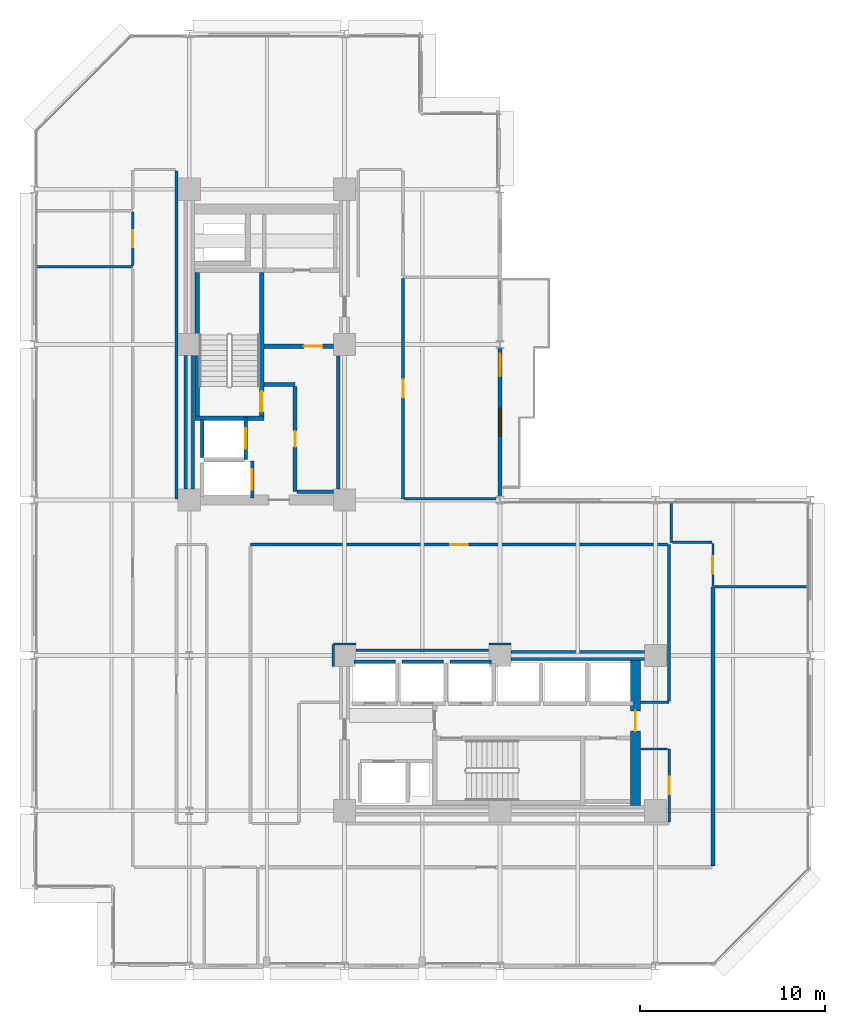
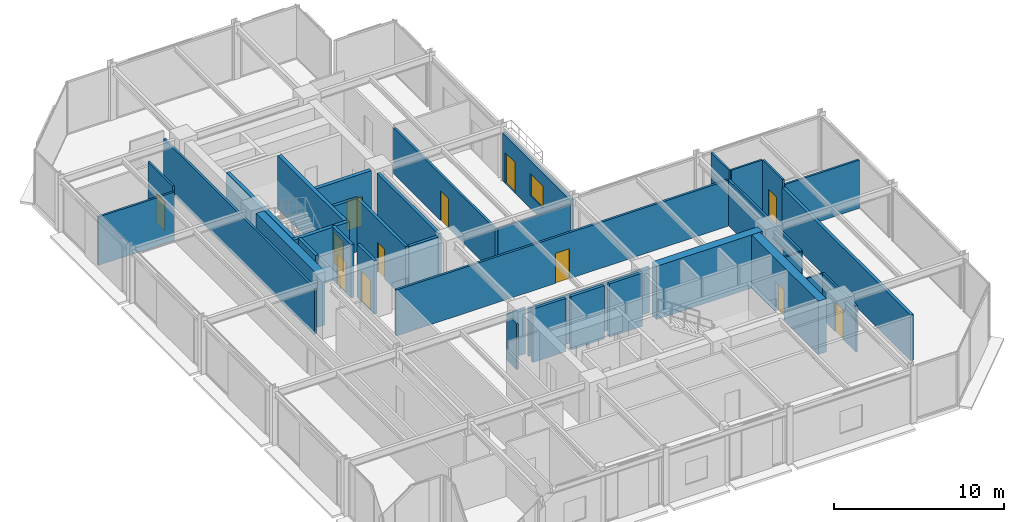
# One storey, part 25 of 30: 37 walls, 12 doors, 1 window, 13 openings.
"""IFC4 building model written with IfcOpenShell, lengths in metres."""

from ifc_helpers import new_model, si_unit, direction, frame, frame_2d, origin, place, context, subcontext, project, spatial, rectangle, extrude, material, layer, layer_set, type_object, element, fill, save


model = new_model("IFC4")

# Units and contexts
model_context = context("Model", 3, precision=1e-05, world=origin(), true_north=direction((0.0, 1.0)))
body_context = subcontext(model_context, "Body", "Model", "MODEL_VIEW")
ifc_project = project(units=[si_unit("LENGTHUNIT", "METRE"), si_unit("AREAUNIT", "SQUARE_METRE"), si_unit("VOLUMEUNIT", "CUBIC_METRE"), si_unit("PLANEANGLEUNIT", "RADIAN"), si_unit("MASSUNIT", "GRAM", prefix="KILO")], contexts=[model_context])

# Site, building, storey
site_placement = place(None, origin())
site = spatial("IfcSite", under=ifc_project, at=site_placement, CompositionType="ELEMENT")
building_placement = place(site_placement, origin())
building = spatial("IfcBuilding", under=site, at=building_placement, Name="Nerrivon Quay Data Exchange", CompositionType="ELEMENT")
storey_placement = place(building_placement, frame((0.0, 0.0, 154.10009765625)))
storey = spatial("IfcBuildingStorey", under=building, at=storey_placement, Name="L36", CompositionType="ELEMENT", Elevation=154.10009765625)

# Wall, openings, door, window
ifc_material_1 = material(Name="Architectural terracotta precast concrete N50 (50 MPa)", Category="masonry")
ifc_layer_1 = layer(ifc_material_1, 0.239990234375)
ifc_layer_set_1 = layer_set([ifc_layer_1], Name="Architectural terracotta precast concrete N50 (50 MPa)")
wall_type_1 = type_object("IfcWallType", Name="EW-PREC-240", PredefinedType="STANDARD", material=ifc_layer_set_1)
wall_1_placement = place(storey_placement, frame((25.199951171875, 33.39990234375, 0.0), z_axis=(0.0, 0.0, 1.0), x_axis=(0.0, -1.0, 0.0)))
wall_1 = element("IfcWall", 1, at=wall_1_placement, inside=storey, type_object=wall_type_1, Name="L36 Terrace Host Wall 25", PredefinedType="STANDARD", context=body_context, shape_type="SweptSolid", body=[
    extrude(rectangle(XDim=8.0, YDim=0.239990234375, at=frame_2d((4.0, 0.0))), origin(), (0.0, 0.0, 1.0), 3.421875),
])
opening_1_placement = place(wall_1_placement, frame((0.300048828125, 0.0, 0.0)))
opening_1 = element("IfcOpeningElement", 2, at=opening_1_placement, cuts=wall_1, Name="Opening TD1", PredefinedType="OPENING", context=body_context, shape_type="SweptSolid", body=[
    extrude(rectangle(XDim=1.199951171875, YDim=2.199951171875, at=frame_2d((0.60009765625, 1.10009765625))), frame((0.0, 0.1298828125, 0.0), z_axis=(0.0, -1.0, 0.0), x_axis=(1.0, 0.0, 0.0)), (0.0, 0.0, 1.0), 0.260009765625),
])
opening_2_placement = place(wall_1_placement, frame((3.25, 0.0, 0.89990234375)))
opening_2 = element("IfcOpeningElement", 3, at=opening_2_placement, cuts=wall_1, Name="Opening WN4", PredefinedType="OPENING", context=body_context, shape_type="SweptSolid", body=[
    extrude(rectangle(XDim=1.5, YDim=1.60009765625, at=frame_2d((0.75, 0.800048828125))), frame((0.0, 0.1298828125, 0.0), z_axis=(0.0, -1.0, 0.0), x_axis=(1.0, 0.0, 0.0)), (0.0, 0.0, 1.0), 0.260009765625),
])
ifc_material_2 = material(Name="Double-glazed low-E solar control glass", Category="glass")
door_type_1 = type_object("IfcDoorType", Name="DR-TERR-1200x2200", OperationType="NOTDEFINED", PredefinedType="DOOR", material=ifc_material_2)
door_1_placement = place(opening_1_placement, origin())
door_1 = element("IfcDoor", 4, at=door_1_placement, inside=storey, type_object=door_type_1, Name="L36 Outdoor Terrace Access Door 25", OperationType="SINGLE_SWING_RIGHT", OverallHeight=2.199951171875, OverallWidth=1.199951171875, PredefinedType="DOOR", context=body_context, shape_type="SweptSolid", body=[
    extrude(rectangle(XDim=1.199951171875, YDim=2.199951171875, at=frame_2d((0.60009765625, 1.10009765625))), frame((0.0, 0.02490234375, 0.0), z_axis=(0.0, -1.0, 0.0), x_axis=(1.0, 0.0, 0.0)), (0.0, 0.0, 1.0), 0.050048828125),
])
fill(opening_1, door_1)
window_type = type_object("IfcWindowType", Name="WIN-W4-1500x1600", PartitioningType="SINGLE_PANEL", PredefinedType="WINDOW", material=ifc_material_2)
window_placement = place(opening_2_placement, origin())
window = element("IfcWindow", 5, at=window_placement, inside=storey, type_object=window_type, Name="L36 Terrace Side Window 25", OverallHeight=1.60009765625, OverallWidth=1.5, PartitioningType="SINGLE_PANEL", PredefinedType="WINDOW", context=body_context, shape_type="SweptSolid", body=[
    extrude(rectangle(XDim=1.5, YDim=1.60009765625, at=frame_2d((0.75, 0.800048828125))), frame((0.0, 0.030029296875, 0.0), z_axis=(0.0, -1.0, 0.0), x_axis=(1.0, 0.0, 0.0)), (0.0, 0.0, 1.0), 0.06005859375),
])
fill(opening_2, window)

# Wall
ifc_material_3 = material(Name="Concrete S65 (65 MPa)", Category="concrete")
ifc_layer_2 = layer(ifc_material_3, 0.550048828125)
ifc_layer_set_2 = layer_set([ifc_layer_2], Name="Concrete S65 (65 MPa)")
wall_type_2 = type_object("IfcWallType", Name="WALL-CW-700", PredefinedType="SHEAR", material=ifc_layer_set_2)
wall_2_placement = place(storey_placement, frame((8.39990234375, 25.800048828125, 0.0), z_axis=(0.0, 0.0, 1.0), x_axis=(0.0, 1.0, 0.0)))
element("IfcWall", 6, at=wall_2_placement, inside=storey, type_object=wall_type_2, Name="L36 West Split-Core Shear Wall WCW-W1", PredefinedType="SHEAR", context=body_context, shape_type="SweptSolid", body=[
    extrude(rectangle(XDim=7.199951171875, YDim=0.550048828125, at=frame_2d((3.60009765625, 0.0))), origin(), (0.0, 0.0, 1.0), 3.824951171875),
])

# Wall, opening, door
wall_3_placement = place(storey_placement, frame((32.52490234375, 8.675048828125, 0.0), z_axis=(0.0, 0.0, 1.0), x_axis=(0.0, 1.0, 0.0)))
wall_3 = element("IfcWall", 7, at=wall_3_placement, inside=storey, type_object=wall_type_2, Name="L36 East Split-Core Shear Wall ECW-E1", PredefinedType="SHEAR", context=body_context, shape_type="SweptSolid", body=[
    extrude(rectangle(XDim=7.849853515625, YDim=0.550048828125, at=frame_2d((3.9248046875, 0.0))), origin(), (0.0, 0.0, 1.0), 3.824951171875),
])
opening_3_placement = place(wall_3_placement, frame((4.02490234375, 0.0, 0.0)))
opening_3 = element("IfcOpeningElement", 8, at=opening_3_placement, cuts=wall_3, Name="Opening FD-120", PredefinedType="OPENING", context=body_context, shape_type="SweptSolid", body=[
    extrude(rectangle(XDim=1.10009765625, YDim=2.14990234375, at=frame_2d((0.550048828125, 1.074951171875))), frame((0.0, 0.284912109375, 0.0), z_axis=(0.0, -1.0, 0.0), x_axis=(1.0, 0.0, 0.0)), (0.0, 0.0, 1.0), 0.570068359375),
])
ifc_material_4 = material(Name="Powder-coated galvanized steel sheet", Category="steel")
door_type_2 = type_object("IfcDoorType", Name="DR-FD120-1100", OperationType="NOTDEFINED", PredefinedType="DOOR", material=ifc_material_4)
door_2_placement = place(opening_3_placement, origin())
door_2 = element("IfcDoor", 9, at=door_2_placement, inside=storey, type_object=door_type_2, Name="L36 East Core Lobby Fire Door", OperationType="SINGLE_SWING_RIGHT", OverallHeight=2.14990234375, OverallWidth=1.10009765625, PredefinedType="DOOR", context=body_context, shape_type="SweptSolid", body=[
    extrude(rectangle(XDim=1.10009765625, YDim=2.14990234375, at=frame_2d((0.550048828125, 1.074951171875))), frame((0.0, 0.02490234375, 0.0), z_axis=(0.0, -1.0, 0.0), x_axis=(1.0, 0.0, 0.0)), (0.0, 0.0, 1.0), 0.050048828125),
])
fill(opening_3, door_2)

# Wall
wall_4_placement = place(storey_placement, frame((25.800048828125, 16.800048828125, 0.0), z_axis=(0.0, 0.0, 1.0), x_axis=(1.0, 0.0, 0.0)))
element("IfcWall", 10, at=wall_4_placement, inside=storey, type_object=wall_type_2, Name="L36 East Split-Core Shear Wall ECW-N1", PredefinedType="SHEAR", context=body_context, shape_type="SweptSolid", body=[
    extrude(rectangle(XDim=7.199951171875, YDim=0.550048828125, at=frame_2d((3.60009765625, 0.0))), origin(), (0.0, 0.0, 1.0), 3.824951171875),
])

# Wall, opening, door
ifc_material_5 = material(Name="Gypsum plasterboard on cold-formed framing", Category="gypsum")
ifc_layer_3 = layer(ifc_material_5, 0.199951171875)
ifc_layer_set_3 = layer_set([ifc_layer_3], Name="Gypsum plasterboard on cold-formed framing")
wall_type_3 = type_object("IfcWallType", Name="WALL-FW-200", PredefinedType="PARTITIONING", material=ifc_layer_set_3)
wall_5_placement = place(storey_placement, frame((11.449951171875, 27.39990234375, 0.0), z_axis=(0.0, 0.0, 1.0), x_axis=(0.0, 1.0, 0.0)))
wall_5 = element("IfcWall", 11, at=wall_5_placement, inside=storey, type_object=wall_type_3, Name="L36 Lift Front Wall FFL-1", PredefinedType="PARTITIONING", context=body_context, shape_type="SweptSolid", body=[
    extrude(rectangle(XDim=2.25, YDim=0.199951171875, at=frame_2d((1.125, 0.0))), origin(), (0.0, 0.0, 1.0), 3.824951171875),
])
opening_4_placement = place(wall_5_placement, frame((0.574951171875, 0.0, 0.0)))
opening_4 = element("IfcOpeningElement", 12, at=opening_4_placement, cuts=wall_5, Name="Opening LD-120", PredefinedType="OPENING", context=body_context, shape_type="SweptSolid", body=[
    extrude(rectangle(XDim=1.10009765625, YDim=2.199951171875, at=frame_2d((0.550048828125, 1.10009765625))), frame((0.0, 0.10986328125, 0.0), z_axis=(0.0, -1.0, 0.0), x_axis=(1.0, 0.0, 0.0)), (0.0, 0.0, 1.0), 0.219970703125),
])
door_type_3 = type_object("IfcDoorType", Name="DR-LIFT-LD120", OperationType="DOUBLE_DOOR_SLIDING", PredefinedType="DOOR", material=ifc_material_4)
door_3_placement = place(opening_4_placement, origin())
door_3 = element("IfcDoor", 13, at=door_3_placement, inside=storey, type_object=door_type_3, Name="L36 Lift Landing Sliding Door FFL-1", OperationType="DOUBLE_DOOR_SLIDING", OverallHeight=2.199951171875, OverallWidth=1.10009765625, PredefinedType="DOOR", context=body_context, shape_type="SweptSolid", body=[
    extrude(rectangle(XDim=1.10009765625, YDim=2.199951171875, at=frame_2d((0.550048828125, 1.10009765625))), frame((0.0, 0.02490234375, 0.0), z_axis=(0.0, -1.0, 0.0), x_axis=(1.0, 0.0, 0.0)), (0.0, 0.0, 1.0), 0.050048828125),
])
fill(opening_4, door_3)

# Wall
wall_6_placement = place(storey_placement, frame((9.10009765625, 27.5, 0.0), z_axis=(0.0, 0.0, 1.0), x_axis=(0.0, 1.0, 0.0)))
element("IfcWall", 14, at=wall_6_placement, inside=storey, type_object=wall_type_3, Name="L36 Lift Shaft Wall FFL-1 WEST", PredefinedType="PARTITIONING", context=body_context, shape_type="SweptSolid", body=[
    extrude(rectangle(XDim=2.050048828125, YDim=0.199951171875, at=frame_2d((1.02490234375, 0.0))), origin(), (0.0, 0.0, 1.0), 3.824951171875),
])

# Wall, opening, door
wall_7_placement = place(storey_placement, frame((11.800048828125, 25.300048828125, 0.0), z_axis=(0.0, 0.0, 1.0), x_axis=(0.0, 1.0, 0.0)))
wall_7 = element("IfcWall", 15, at=wall_7_placement, inside=storey, type_object=wall_type_3, Name="L36 Lift Front Wall SVL-1", PredefinedType="PARTITIONING", context=body_context, shape_type="SweptSolid", body=[
    extrude(rectangle(XDim=2.0, YDim=0.199951171875, at=frame_2d((1.0, 0.0))), origin(), (0.0, 0.0, 1.0), 3.824951171875),
])
opening_5_placement = place(wall_7_placement, frame((0.449951171875, 0.0, 0.0)))
opening_5 = element("IfcOpeningElement", 16, at=opening_5_placement, cuts=wall_7, Name="Opening LD-120", PredefinedType="OPENING", context=body_context, shape_type="SweptSolid", body=[
    extrude(rectangle(XDim=1.10009765625, YDim=2.199951171875, at=frame_2d((0.550048828125, 1.10009765625))), frame((0.0, 0.10986328125, 0.0), z_axis=(0.0, -1.0, 0.0), x_axis=(1.0, 0.0, 0.0)), (0.0, 0.0, 1.0), 0.219970703125),
])
door_4_placement = place(opening_5_placement, origin())
door_4 = element("IfcDoor", 17, at=door_4_placement, inside=storey, type_object=door_type_3, Name="L36 Lift Landing Sliding Door SVL-1", OperationType="DOUBLE_DOOR_SLIDING", OverallHeight=2.199951171875, OverallWidth=1.10009765625, PredefinedType="DOOR", context=body_context, shape_type="SweptSolid", body=[
    extrude(rectangle(XDim=1.10009765625, YDim=2.199951171875, at=frame_2d((0.550048828125, 1.10009765625))), frame((0.0, 0.02490234375, 0.0), z_axis=(0.0, -1.0, 0.0), x_axis=(1.0, 0.0, 0.0)), (0.0, 0.0, 1.0), 0.050048828125),
])
fill(opening_5, door_4)

# Walls
for number, where, z_axis, x_axis, name in (
    (18, (17.300048828125, 16.449951171875, 0.0), (0.0, 0.0, 1.0), (1.0, 0.0, 0.0), "L36 Lift Shaft Wall PL4 NORTH"),
    (19, (19.89990234375, 16.449951171875, 0.0), (0.0, 0.0, 1.0), (1.0, 0.0, 0.0), "L36 Lift Shaft Wall PL5 NORTH"),
    (20, (22.5, 16.449951171875, 0.0), (0.0, 0.0, 1.0), (1.0, 0.0, 0.0), "L36 Lift Shaft Wall PL6 NORTH"),
):
    element("IfcWall", number, at=place(storey_placement, frame(where, z_axis=z_axis, x_axis=x_axis)), inside=storey, type_object=wall_type_3, Name=name, PredefinedType="PARTITIONING", context=body_context, shape_type="SweptSolid", body=[
        extrude(rectangle(XDim=2.25, YDim=0.199951171875, at=frame_2d((1.125, 0.0))), origin(), (0.0, 0.0, 1.0), 3.824951171875),
    ])
wall_8_placement = place(storey_placement, frame((16.449951171875, 25.804931640625, 0.0), z_axis=(0.0, 0.0, 1.0), x_axis=(0.0, 1.0, 0.0)))
element("IfcWall", 21, at=wall_8_placement, inside=storey, type_object=wall_type_3, Name="L36 Partition Telemetry Hub Closet", PredefinedType="PARTITIONING", context=body_context, shape_type="SweptSolid", body=[
    extrude(rectangle(XDim=7.190185546875, YDim=0.199951171875, at=frame_2d((3.59521484375, 0.0))), origin(), (0.0, 0.0, 1.0), 3.824951171875),
])
wall_9_placement = place(storey_placement, frame((12.4541015625, 31.43994140625, 0.0), z_axis=(0.0, 0.0, 1.0), x_axis=(1.0, 0.0, 0.0)))
element("IfcWall", 22, at=wall_9_placement, inside=storey, type_object=wall_type_3, Name="L36 Partition Telemetry Hub Closet", PredefinedType="PARTITIONING", context=body_context, shape_type="SweptSolid", body=[
    extrude(rectangle(XDim=1.666015625, YDim=0.199951171875, at=frame_2d((0.8330078125, 0.0))), origin(), (0.0, 0.0, 1.0), 3.824951171875),
])

# Wall, opening, door
wall_10_placement = place(storey_placement, frame((14.1201171875, 31.3359375, 0.0), z_axis=(0.0, 0.0, 1.0), x_axis=(0.0, -1.0, 0.0)))
wall_10 = element("IfcWall", 23, at=wall_10_placement, inside=storey, type_object=wall_type_3, Name="L36 Partition Telemetry Hub Closet", PredefinedType="PARTITIONING", context=body_context, shape_type="SweptSolid", body=[
    extrude(rectangle(XDim=5.68603515625, YDim=0.199951171875, at=frame_2d((2.843017578125, 0.0))), origin(), (0.0, 0.0, 1.0), 3.824951171875),
])
opening_6_placement = place(wall_10_placement, frame((2.41796875, 0.0, 0.0)))
opening_6 = element("IfcOpeningElement", 24, at=opening_6_placement, cuts=wall_10, Name="Opening FD-60S", PredefinedType="OPENING", context=body_context, shape_type="SweptSolid", body=[
    extrude(rectangle(XDim=0.85009765625, YDim=2.14990234375, at=frame_2d((0.425048828125, 1.074951171875))), frame((0.0, 0.10986328125, 0.0), z_axis=(0.0, -1.0, 0.0), x_axis=(1.0, 0.0, 0.0)), (0.0, 0.0, 1.0), 0.219970703125),
])
ifc_material_6 = material(Name="Engineered hardwood timber", Category="wood")
door_type_4 = type_object("IfcDoorType", Name="DR-FD60-850", OperationType="NOTDEFINED", PredefinedType="DOOR", material=ifc_material_6)
door_5_placement = place(opening_6_placement, origin())
door_5 = element("IfcDoor", 25, at=door_5_placement, inside=storey, type_object=door_type_4, Name="L36 Door Telemetry Hub Closet", OperationType="SINGLE_SWING_RIGHT", OverallHeight=2.14990234375, OverallWidth=0.85009765625, PredefinedType="DOOR", context=body_context, shape_type="SweptSolid", body=[
    extrude(rectangle(XDim=0.85009765625, YDim=2.14990234375, at=frame_2d((0.425048828125, 1.074951171875))), frame((0.0, 0.02490234375, 0.0), z_axis=(0.0, -1.0, 0.0), x_axis=(1.0, 0.0, 0.0)), (0.0, 0.0, 1.0), 0.050048828125),
])
fill(opening_6, door_5)

# Walls
wall_11_placement = place(storey_placement, frame((14.22412109375, 25.64990234375, 0.0), z_axis=(0.0, 0.0, 1.0), x_axis=(1.0, 0.0, 0.0)))
element("IfcWall", 26, at=wall_11_placement, inside=storey, type_object=wall_type_3, Name="L36 Partition Telemetry Hub Closet", PredefinedType="PARTITIONING", context=body_context, shape_type="SweptSolid", body=[
    extrude(rectangle(XDim=1.970947265625, YDim=0.199951171875, at=frame_2d((0.9853515625, 0.0))), origin(), (0.0, 0.0, 1.0), 3.824951171875),
])
wall_12_placement = place(storey_placement, frame((36.7099609375, 20.49462890625, 0.0), z_axis=(0.0, 0.0, 1.0), x_axis=(0.0, -1.0, 0.0)))
element("IfcWall", 27, at=wall_12_placement, inside=storey, type_object=wall_type_3, Name="L36 Partition Colocation Data Workspace 1", PredefinedType="PARTITIONING", context=body_context, shape_type="SweptSolid", body=[
    extrude(rectangle(XDim=15.0947265625, YDim=0.199951171875, at=frame_2d((7.54736328125, 0.0))), origin(), (0.0, 0.0, 1.0), 3.2919921875),
])

# Wall, opening, door
ifc_layer_4 = layer(ifc_material_5, 0.1201171875)
ifc_layer_set_4 = layer_set([ifc_layer_4], Name="Gypsum plasterboard on cold-formed framing")
wall_type_4 = type_object("IfcWallType", Name="WALL-PT-120", PredefinedType="PARTITIONING", material=ifc_layer_set_4)
wall_13_placement = place(storey_placement, frame((5.340087890625, 37.87158203125, 0.0), z_axis=(0.0, 0.0, 1.0), x_axis=(0.0, 1.0, 0.0)))
wall_13 = element("IfcWall", 28, at=wall_13_placement, inside=storey, type_object=wall_type_4, Name="L36 Partition Accessible Toilet", PredefinedType="PARTITIONING", context=body_context, shape_type="SweptSolid", body=[
    extrude(rectangle(XDim=2.906982421875, YDim=0.1201171875, at=frame_2d((1.45361328125, 0.0))), origin(), (0.0, 0.0, 1.0), 3.824951171875),
])
opening_7_placement = place(wall_13_placement, frame((0.993408203125, 0.0, 0.0)))
opening_7 = element("IfcOpeningElement", 29, at=opening_7_placement, cuts=wall_13, Name="Opening D-WC", PredefinedType="OPENING", context=body_context, shape_type="SweptSolid", body=[
    extrude(rectangle(XDim=0.919921875, YDim=2.10009765625, at=frame_2d((0.4599609375, 1.050048828125))), frame((0.0, 0.070068359375, 0.0), z_axis=(0.0, -1.0, 0.0), x_axis=(1.0, 0.0, 0.0)), (0.0, 0.0, 1.0), 0.14013671875),
])
door_type_5 = type_object("IfcDoorType", Name="DR-WC-920", OperationType="NOTDEFINED", PredefinedType="DOOR", material=ifc_material_6)
door_6_placement = place(opening_7_placement, origin())
door_6 = element("IfcDoor", 30, at=door_6_placement, inside=storey, type_object=door_type_5, Name="L36 Door Accessible Toilet", OperationType="SINGLE_SWING_LEFT", OverallHeight=2.10009765625, OverallWidth=0.919921875, PredefinedType="DOOR", context=body_context, shape_type="SweptSolid", body=[
    extrude(rectangle(XDim=0.919921875, YDim=2.10009765625, at=frame_2d((0.4599609375, 1.050048828125))), frame((0.0, 0.02490234375, 0.0), z_axis=(0.0, -1.0, 0.0), x_axis=(1.0, 0.0, 0.0)), (0.0, 0.0, 1.0), 0.050048828125),
])
fill(opening_7, door_6)

# Wall
wall_14_placement = place(storey_placement, frame((34.2685546875, 11.739990234375, 0.0), z_axis=(0.0, 0.0, 1.0), x_axis=(-1.0, 0.0, 0.0)))
element("IfcWall", 31, at=wall_14_placement, inside=storey, type_object=wall_type_4, Name="L36 Partition Staff Pantry", PredefinedType="PARTITIONING", context=body_context, shape_type="SweptSolid", body=[
    extrude(rectangle(XDim=1.464599609375, YDim=0.1201171875, at=frame_2d((0.732421875, 0.0))), origin(), (0.0, 0.0, 1.0), 3.296875),
])

# Wall, opening, door
wall_15_placement = place(storey_placement, frame((36.7099609375, 22.85009765625, 0.0), z_axis=(0.0, 0.0, 1.0), x_axis=(0.0, -1.0, 0.0)))
wall_15 = element("IfcWall", 32, at=wall_15_placement, inside=storey, type_object=wall_type_4, Name="L36 Partition Executive Boardroom", PredefinedType="PARTITIONING", context=body_context, shape_type="SweptSolid", body=[
    extrude(rectangle(XDim=2.33544921875, YDim=0.1201171875, at=frame_2d((1.167724609375, 0.0))), origin(), (0.0, 0.0, 1.0), 3.824951171875),
])
opening_8_placement = place(wall_15_placement, frame((0.692626953125, 0.0, 0.0)))
opening_8 = element("IfcOpeningElement", 33, at=opening_8_placement, cuts=wall_15, Name="Opening D-01", PredefinedType="OPENING", context=body_context, shape_type="SweptSolid", body=[
    extrude(rectangle(XDim=0.949951171875, YDim=2.14990234375, at=frame_2d((0.47509765625, 1.074951171875))), frame((0.0, 0.070068359375, 0.0), z_axis=(0.0, -1.0, 0.0), x_axis=(1.0, 0.0, 0.0)), (0.0, 0.0, 1.0), 0.14013671875),
])
door_type_6 = type_object("IfcDoorType", Name="DR-INT-950", OperationType="NOTDEFINED", PredefinedType="DOOR", material=ifc_material_6)
door_7_placement = place(opening_8_placement, origin())
door_7 = element("IfcDoor", 34, at=door_7_placement, inside=storey, type_object=door_type_6, Name="L36 Door Executive Boardroom", OperationType="SINGLE_SWING_LEFT", OverallHeight=2.14990234375, OverallWidth=0.949951171875, PredefinedType="DOOR", context=body_context, shape_type="SweptSolid", body=[
    extrude(rectangle(XDim=0.949951171875, YDim=2.14990234375, at=frame_2d((0.47509765625, 1.074951171875))), frame((0.0, 0.02490234375, 0.0), z_axis=(0.0, -1.0, 0.0), x_axis=(1.0, 0.0, 0.0)), (0.0, 0.0, 1.0), 0.050048828125),
])
fill(opening_8, door_7)

# Walls
wall_16_placement = place(storey_placement, frame((34.4599609375, 25.031005859375, 0.0), z_axis=(0.0, 0.0, 1.0), x_axis=(0.0, -1.0, 0.0)))
element("IfcWall", 35, at=wall_16_placement, inside=storey, type_object=wall_type_4, Name="L36 Partition Executive Boardroom", PredefinedType="PARTITIONING", context=body_context, shape_type="SweptSolid", body=[
    extrude(rectangle(XDim=2.12109375, YDim=0.1201171875, at=frame_2d((1.060546875, 0.0))), origin(), (0.0, 0.0, 1.0), 3.824951171875),
])
wall_17_placement = place(storey_placement, frame((34.52392578125, 22.909912109375, 0.0), z_axis=(0.0, 0.0, 1.0), x_axis=(1.0, 0.0, 0.0)))
element("IfcWall", 36, at=wall_17_placement, inside=storey, type_object=wall_type_4, Name="L36 Partition Executive Boardroom", PredefinedType="PARTITIONING", context=body_context, shape_type="SweptSolid", body=[
    extrude(rectangle(XDim=2.1259765625, YDim=0.1201171875, at=frame_2d((1.06298828125, 0.0))), origin(), (0.0, 0.0, 1.0), 3.824951171875),
])
wall_18_placement = place(storey_placement, frame((16.180908203125, 16.194091796875, 0.0), z_axis=(0.0, 0.0, 1.0), x_axis=(-0.000809880277, 0.999999672047, 0.0)))
element("IfcWall", 37, at=wall_18_placement, inside=storey, type_object=wall_type_4, Name="L36 Partition Peering Huddle Meeting Room", PredefinedType="PARTITIONING", context=body_context, shape_type="SweptSolid", body=[
    extrude(rectangle(XDim=1.205810546875, YDim=0.1201171875, at=frame_2d((0.60302734375, 0.0))), origin(), (0.0, 0.0, 1.0), 3.2919921875),
])
for number, where, z_axis, x_axis, name in (
    (38, (16.199951171875, 17.419921875, 0.0), (0.0, 0.0, 1.0), (0.999999815526, -0.000607410295, 0.0), "L36 Partition Peering Huddle Meeting Room"),
    (39, (24.59423828125, 17.419189453125, 0.0), (0.0, 0.0, 1.0), (0.999999815526, 0.000607410295, 0.0), "L36 Partition Peering Huddle Meeting Room"),
):
    element("IfcWall", number, at=place(storey_placement, frame(where, z_axis=z_axis, x_axis=x_axis)), inside=storey, type_object=wall_type_4, Name=name, PredefinedType="PARTITIONING", context=body_context, shape_type="SweptSolid", body=[
        extrude(rectangle(XDim=1.205810546875, YDim=0.1201171875, at=frame_2d((0.60302734375, 0.0))), origin(), (0.0, 0.0, 1.0), 3.296875),
    ])
wall_19_placement = place(storey_placement, frame((32.803955078125, 14.260009765625, 0.0), z_axis=(0.0, 0.0, 1.0), x_axis=(1.0, 0.0, 0.0)))
element("IfcWall", 40, at=wall_19_placement, inside=storey, type_object=wall_type_4, Name="L36 Partition Peering Huddle Meeting Room", PredefinedType="PARTITIONING", context=body_context, shape_type="SweptSolid", body=[
    extrude(rectangle(XDim=1.5361328125, YDim=0.1201171875, at=frame_2d((0.76806640625, 0.0))), origin(), (0.0, 0.0, 1.0), 3.296875),
])
ifc_layer_5 = layer(ifc_material_5, 0.135009765625)
ifc_layer_set_5 = layer_set([ifc_layer_5], Name="Gypsum plasterboard on cold-formed framing")
wall_type_5 = type_object("IfcWallType", Name="WALL-PT-135", PredefinedType="PARTITIONING", material=ifc_layer_set_5)
wall_20_placement = place(storey_placement, frame((0.1689453125, 37.800048828125, 0.0), z_axis=(0.0, 0.0, 1.0), x_axis=(1.0, 0.0, 0.0)))
element("IfcWall", 41, at=wall_20_placement, inside=storey, type_object=wall_type_5, Name="L36 Partition Accessible Toilet", PredefinedType="PARTITIONING", context=body_context, shape_type="SweptSolid", body=[
    extrude(rectangle(XDim=5.171142578125, YDim=0.135009765625, at=frame_2d((2.58544921875, 0.0))), origin(), (0.0, 0.0, 1.0), 3.468994140625),
])

# Wall, opening, door
wall_21_placement = place(storey_placement, frame((34.340087890625, 7.7890625, 0.0), z_axis=(0.0, 0.0, 1.0), x_axis=(0.0, 1.0, 0.0)))
wall_21 = element("IfcWall", 42, at=wall_21_placement, inside=storey, type_object=wall_type_5, Name="L36 Partition Staff Pantry", PredefinedType="PARTITIONING", context=body_context, shape_type="SweptSolid", body=[
    extrude(rectangle(XDim=3.950927734375, YDim=0.135009765625, at=frame_2d((1.9755859375, 0.0))), origin(), (0.0, 0.0, 1.0), 3.2919921875),
])
opening_9_placement = place(wall_21_placement, frame((1.50048828125, 0.0, 0.0)))
opening_9 = element("IfcOpeningElement", 43, at=opening_9_placement, cuts=wall_21, Name="Opening D-01", PredefinedType="OPENING", context=body_context, shape_type="SweptSolid", body=[
    extrude(rectangle(XDim=0.949951171875, YDim=2.14990234375, at=frame_2d((0.47509765625, 1.074951171875))), frame((0.0, 0.077392578125, 0.0), z_axis=(0.0, -1.0, 0.0), x_axis=(1.0, 0.0, 0.0)), (0.0, 0.0, 1.0), 0.155029296875),
])
door_8_placement = place(opening_9_placement, origin())
door_8 = element("IfcDoor", 44, at=door_8_placement, inside=storey, type_object=door_type_6, Name="L36 Door Staff Pantry", OperationType="SINGLE_SWING_LEFT", OverallHeight=2.14990234375, OverallWidth=0.949951171875, PredefinedType="DOOR", context=body_context, shape_type="SweptSolid", body=[
    extrude(rectangle(XDim=0.949951171875, YDim=2.14990234375, at=frame_2d((0.47509765625, 1.074951171875))), frame((0.0, 0.02490234375, 0.0), z_axis=(0.0, -1.0, 0.0), x_axis=(1.0, 0.0, 0.0)), (0.0, 0.0, 1.0), 0.050048828125),
])
fill(opening_9, door_8)

# Walls
wall_22_placement = place(storey_placement, frame((36.77392578125, 20.5146484375, 0.0), z_axis=(0.0, 0.0, 1.0), x_axis=(1.0, 0.0, 0.0)))
element("IfcWall", 45, at=wall_22_placement, inside=storey, type_object=wall_type_5, Name="L36 Partition Executive Boardroom", PredefinedType="PARTITIONING", context=body_context, shape_type="SweptSolid", body=[
    extrude(rectangle(XDim=5.05712890625, YDim=0.135009765625, at=frame_2d((2.528564453125, 0.0))), origin(), (0.0, 0.0, 1.0), 3.468994140625),
])
wall_23_placement = place(storey_placement, frame((20.0390625, 25.260009765625, 0.0), z_axis=(0.0, 0.0, 1.0), x_axis=(1.0, 0.0, 0.0)))
element("IfcWall", 46, at=wall_23_placement, inside=storey, type_object=wall_type_5, Name="L36 Partition Executive Boardroom", PredefinedType="PARTITIONING", context=body_context, shape_type="SweptSolid", body=[
    extrude(rectangle(XDim=4.94091796875, YDim=0.135009765625, at=frame_2d((2.470458984375, 0.0))), origin(), (0.0, 0.0, 1.0), 3.2919921875),
])

# Wall, opening, door
ifc_layer_6 = layer(ifc_material_5, 0.14990234375)
ifc_layer_set_6 = layer_set([ifc_layer_6], Name="Gypsum plasterboard on cold-formed framing")
wall_type_6 = type_object("IfcWallType", Name="WALL-PT-150", PredefinedType="PARTITIONING", material=ifc_layer_set_6)
wall_24_placement = place(storey_placement, frame((19.9599609375, 37.176513671875, 0.0), z_axis=(0.0, 0.0, 1.0), x_axis=(0.0, -1.0, 0.0)))
wall_24 = element("IfcWall", 47, at=wall_24_placement, inside=storey, type_object=wall_type_6, Name="L36 Partition Executive Boardroom", PredefinedType="PARTITIONING", context=body_context, shape_type="SweptSolid", body=[
    extrude(rectangle(XDim=11.91650390625, YDim=0.14990234375, at=frame_2d((5.958251953125, 0.0))), origin(), (0.0, 0.0, 1.0), 3.2919921875),
])
opening_10_placement = place(wall_24_placement, frame((5.483154296875, 0.0, 0.0)))
opening_10 = element("IfcOpeningElement", 48, at=opening_10_placement, cuts=wall_24, Name="Opening D-01", PredefinedType="OPENING", context=body_context, shape_type="SweptSolid", body=[
    extrude(rectangle(XDim=0.949951171875, YDim=2.14990234375, at=frame_2d((0.47509765625, 1.074951171875))), frame((0.0, 0.0849609375, 0.0), z_axis=(0.0, -1.0, 0.0), x_axis=(1.0, 0.0, 0.0)), (0.0, 0.0, 1.0), 0.169921875),
])
door_9_placement = place(opening_10_placement, origin())
door_9 = element("IfcDoor", 49, at=door_9_placement, inside=storey, type_object=door_type_6, Name="L36 Door Executive Boardroom", OperationType="SINGLE_SWING_RIGHT", OverallHeight=2.14990234375, OverallWidth=0.949951171875, PredefinedType="DOOR", context=body_context, shape_type="SweptSolid", body=[
    extrude(rectangle(XDim=0.949951171875, YDim=2.14990234375, at=frame_2d((0.47509765625, 1.074951171875))), frame((0.0, 0.02490234375, 0.0), z_axis=(0.0, -1.0, 0.0), x_axis=(1.0, 0.0, 0.0)), (0.0, 0.0, 1.0), 0.050048828125),
])
fill(opening_10, door_9)

# Walls
wall_25_placement = place(storey_placement, frame((17.419921875, 17.074951171875, 0.0), z_axis=(0.0, 0.0, 1.0), x_axis=(1.0, 0.0, 0.0)))
element("IfcWall", 50, at=wall_25_placement, inside=storey, type_object=wall_type_6, Name="L36 Partition Peering Huddle Meeting Room", PredefinedType="PARTITIONING", context=body_context, shape_type="SweptSolid", body=[
    extrude(rectangle(XDim=7.16015625, YDim=0.14990234375, at=frame_2d((3.580078125, 0.0))), origin(), (0.0, 0.0, 1.0), 3.468994140625),
])
wall_26_placement = place(storey_placement, frame((34.340087890625, 14.323974609375, 0.0), z_axis=(0.0, 0.0, 1.0), x_axis=(0.0, 1.0, 0.0)))
element("IfcWall", 51, at=wall_26_placement, inside=storey, type_object=wall_type_6, Name="L36 Partition Peering Huddle Meeting Room", PredefinedType="PARTITIONING", context=body_context, shape_type="SweptSolid", body=[
    extrude(rectangle(XDim=8.466064453125, YDim=0.14990234375, at=frame_2d((4.23291015625, 0.0))), origin(), (0.0, 0.0, 1.0), 3.2919921875),
])

# Wall, opening, door
wall_27_placement = place(storey_placement, frame((34.260986328125, 22.7900390625, 0.0), z_axis=(0.0, 0.0, 1.0), x_axis=(-1.0, 0.0, 0.0)))
wall_27 = element("IfcWall", 52, at=wall_27_placement, inside=storey, type_object=wall_type_6, Name="L36 Partition Peering Huddle Meeting Room", PredefinedType="PARTITIONING", context=body_context, shape_type="SweptSolid", body=[
    extrude(rectangle(XDim=22.551025390625, YDim=0.14990234375, at=frame_2d((11.275390625, 0.0))), origin(), (0.0, 0.0, 1.0), 3.296875),
])
opening_11_placement = place(wall_27_placement, frame((10.800537109375, 0.0, 0.0)))
opening_11 = element("IfcOpeningElement", 53, at=opening_11_placement, cuts=wall_27, Name="Opening D-01", PredefinedType="OPENING", context=body_context, shape_type="SweptSolid", body=[
    extrude(rectangle(XDim=0.949951171875, YDim=2.14990234375, at=frame_2d((0.47509765625, 1.074951171875))), frame((0.0, 0.0849609375, 0.0), z_axis=(0.0, -1.0, 0.0), x_axis=(1.0, 0.0, 0.0)), (0.0, 0.0, 1.0), 0.169921875),
])
door_10_placement = place(opening_11_placement, origin())
door_10 = element("IfcDoor", 54, at=door_10_placement, inside=storey, type_object=door_type_6, Name="L36 Door Peering Huddle Meeting Room", OperationType="SINGLE_SWING_LEFT", OverallHeight=2.14990234375, OverallWidth=0.949951171875, PredefinedType="DOOR", context=body_context, shape_type="SweptSolid", body=[
    extrude(rectangle(XDim=0.949951171875, YDim=2.14990234375, at=frame_2d((0.47509765625, 1.074951171875))), frame((0.0, 0.02490234375, 0.0), z_axis=(0.0, -1.0, 0.0), x_axis=(1.0, 0.0, 0.0)), (0.0, 0.0, 1.0), 0.050048828125),
])
fill(opening_11, door_10)

# Walls
wall_28_placement = place(storey_placement, frame((7.7099609375, 43.0, 0.0), z_axis=(0.0, 0.0, 1.0), x_axis=(0.0, -1.0, 0.0)))
element("IfcWall", 55, at=wall_28_placement, inside=storey, type_object=wall_type_6, Name="L36 Partition Technical Seminar Room", PredefinedType="PARTITIONING", context=body_context, shape_type="SweptSolid", body=[
    extrude(rectangle(XDim=17.739990234375, YDim=0.14990234375, at=frame_2d((8.8701171875, 0.0))), origin(), (0.0, 0.0, 1.0), 3.2919921875),
])
ifc_material_7 = material(Name="Concrete N50 (50 MPa)", Category="concrete")
ifc_layer_7 = layer(ifc_material_7, 0.25)
ifc_layer_set_7 = layer_set([ifc_layer_7], Name="Concrete N50 (50 MPa)")
wall_type_7 = type_object("IfcWallType", Name="WALL-SW-250", PredefinedType="SHEAR", material=ifc_layer_set_7)
wall_29_placement = place(storey_placement, frame((12.449951171875, 29.625, 0.0), z_axis=(0.0, 0.0, 1.0), x_axis=(-1.0, 0.0, 0.0)))
element("IfcWall", 56, at=wall_29_placement, inside=storey, type_object=wall_type_7, Name="L36 ST01 Structural Stair Core Wall NEAR", PredefinedType="SHEAR", context=body_context, shape_type="SweptSolid", body=[
    extrude(rectangle(XDim=3.75, YDim=0.25, at=frame_2d((1.875, 0.0))), origin(), (0.0, 0.0, 1.0), 3.824951171875),
])

# Wall, opening, door
wall_30_placement = place(storey_placement, frame((12.324951171875, 29.75, 0.0), z_axis=(0.0, 0.0, 1.0), x_axis=(0.0, 1.0, 0.0)))
wall_30 = element("IfcWall", 57, at=wall_30_placement, inside=storey, type_object=wall_type_7, Name="L36 ST01 Structural Stair Core Wall LEFT", PredefinedType="SHEAR", context=body_context, shape_type="SweptSolid", body=[
    extrude(rectangle(XDim=7.75, YDim=0.25, at=frame_2d((3.875, 0.0))), origin(), (0.0, 0.0, 1.0), 3.824951171875),
])
opening_12_placement = place(wall_30_placement, frame((0.219970703125, 0.0, 0.0)))
opening_12 = element("IfcOpeningElement", 58, at=opening_12_placement, cuts=wall_30, Name="Opening FD-120", PredefinedType="OPENING", context=body_context, shape_type="SweptSolid", body=[
    extrude(rectangle(XDim=1.10009765625, YDim=2.14990234375, at=frame_2d((0.550048828125, 1.074951171875))), frame((0.0, 0.135009765625, 0.0), z_axis=(0.0, -1.0, 0.0), x_axis=(1.0, 0.0, 0.0)), (0.0, 0.0, 1.0), 0.27001953125),
])
door_11_placement = place(opening_12_placement, origin())
door_11 = element("IfcDoor", 59, at=door_11_placement, inside=storey, type_object=door_type_2, Name="L36 Protected Stair Door ST01", OperationType="SINGLE_SWING_RIGHT", OverallHeight=2.14990234375, OverallWidth=1.10009765625, PredefinedType="DOOR", context=body_context, shape_type="SweptSolid", body=[
    extrude(rectangle(XDim=1.10009765625, YDim=2.14990234375, at=frame_2d((0.550048828125, 1.074951171875))), frame((0.0, 0.02490234375, 0.0), z_axis=(0.0, -1.0, 0.0), x_axis=(1.0, 0.0, 0.0)), (0.0, 0.0, 1.0), 0.050048828125),
])
fill(opening_12, door_11)

# Wall
wall_31_placement = place(storey_placement, frame((8.824951171875, 29.75, 0.0), z_axis=(0.0, 0.0, 1.0), x_axis=(0.0, 1.0, 0.0)))
element("IfcWall", 60, at=wall_31_placement, inside=storey, type_object=wall_type_7, Name="L36 ST01 Structural Stair Core Wall RIGHT", PredefinedType="SHEAR", context=body_context, shape_type="SweptSolid", body=[
    extrude(rectangle(XDim=7.75, YDim=0.25, at=frame_2d((3.875, 0.0))), origin(), (0.0, 0.0, 1.0), 3.824951171875),
])

# Wall, opening, door
wall_32_placement = place(storey_placement, frame((12.449951171875, 33.52001953125, 0.0), z_axis=(0.0, 0.0, 1.0), x_axis=(1.0, 0.0, 0.0)))
wall_32 = element("IfcWall", 61, at=wall_32_placement, inside=storey, type_object=wall_type_7, Name="L36 West Lobby Smoke-Stop Wall", PredefinedType="SHEAR", context=body_context, shape_type="SweptSolid", body=[
    extrude(rectangle(XDim=3.75, YDim=0.25, at=frame_2d((1.875, 0.0))), origin(), (0.0, 0.0, 1.0), 3.824951171875),
])
opening_13_placement = place(wall_32_placement, frame((2.14990234375, 0.0, 0.0)))
opening_13 = element("IfcOpeningElement", 62, at=opening_13_placement, cuts=wall_32, Name="Opening FD-60", PredefinedType="OPENING", context=body_context, shape_type="SweptSolid", body=[
    extrude(rectangle(XDim=1.0, YDim=2.14990234375, at=frame_2d((0.5, 1.074951171875))), frame((0.0, 0.135009765625, 0.0), z_axis=(0.0, -1.0, 0.0), x_axis=(1.0, 0.0, 0.0)), (0.0, 0.0, 1.0), 0.27001953125),
])
door_type_7 = type_object("IfcDoorType", Name="DR-FD60-1000", OperationType="NOTDEFINED", PredefinedType="DOOR", material=ifc_material_6)
door_12_placement = place(opening_13_placement, origin())
door_12 = element("IfcDoor", 63, at=door_12_placement, inside=storey, type_object=door_type_7, Name="L36 West Firefighting Lobby Fire Door", OperationType="SINGLE_SWING_RIGHT", OverallHeight=2.14990234375, OverallWidth=1.0, PredefinedType="DOOR", context=body_context, shape_type="SweptSolid", body=[
    extrude(rectangle(XDim=1.0, YDim=2.14990234375, at=frame_2d((0.5, 1.074951171875))), frame((0.0, 0.02490234375, 0.0), z_axis=(0.0, -1.0, 0.0), x_axis=(1.0, 0.0, 0.0)), (0.0, 0.0, 1.0), 0.050048828125),
])
fill(opening_13, door_12)

save(model, "model.ifc")
